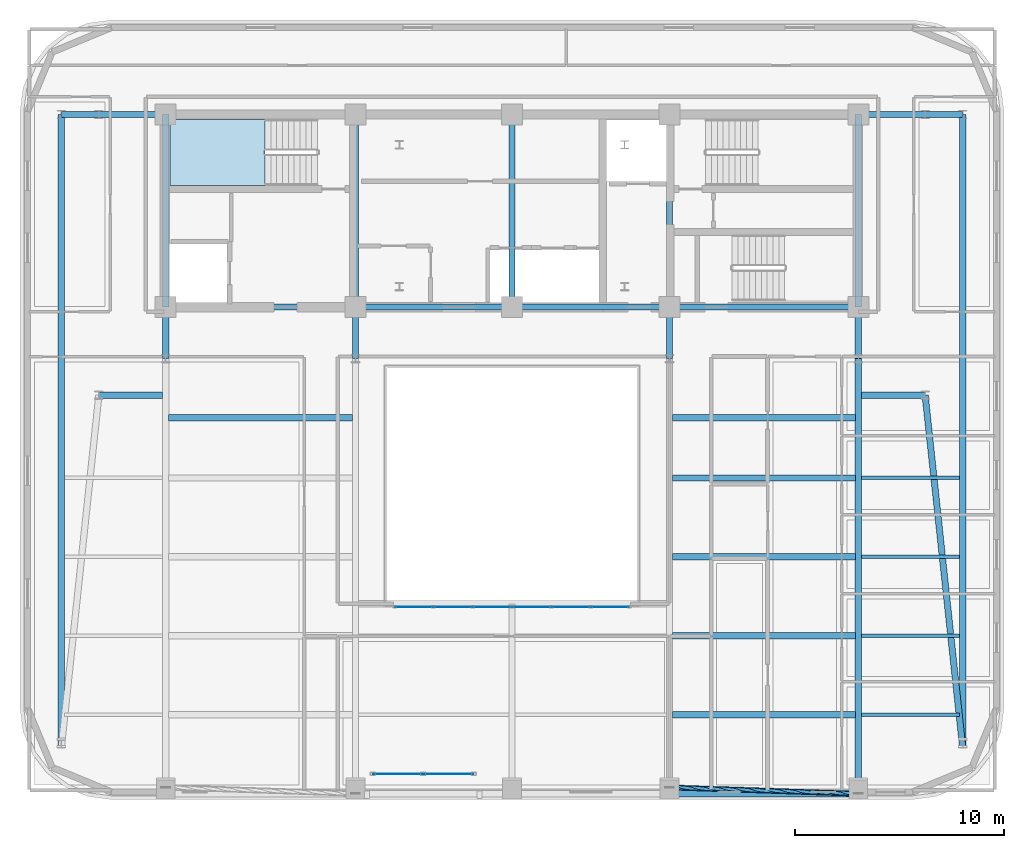
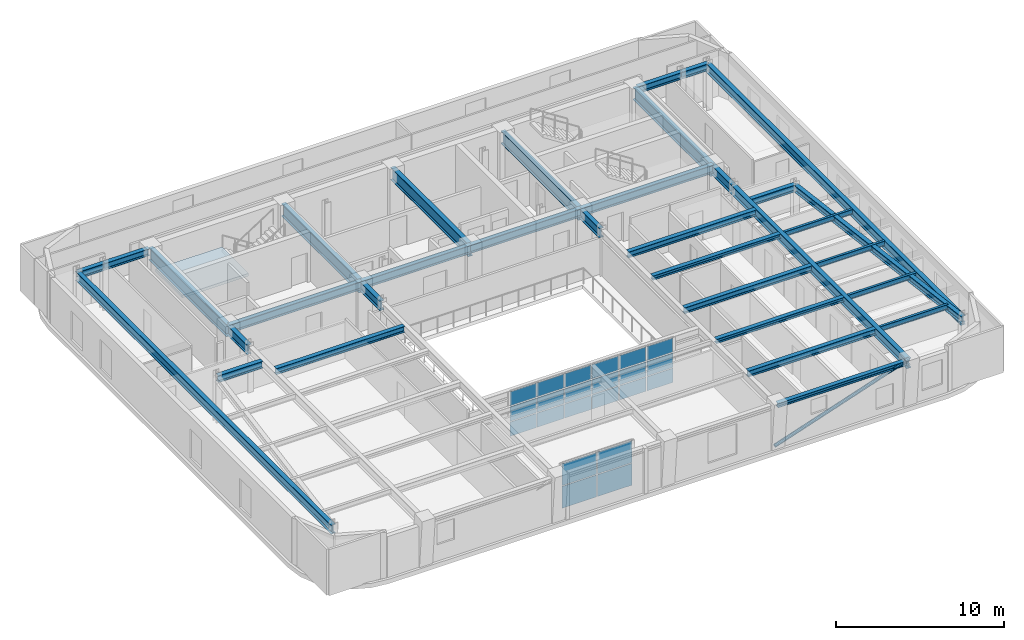
# One storey, part 3 of 13: 34 beams, 22 plates, 1 member, 1 slab, 3 elements without a shape of their own.
"""IFC4 building model written with IfcOpenShell, lengths in metres."""

from ifc_helpers import new_model, si_unit, direction, frame, origin, origin_2d, place, context, subcontext, project, spatial, polyline, rectangle, hollow_circle, i_section, outline, extrude, material, layer, layer_set, material_profile, profile_set, type_object, element, aggregate, save


model = new_model("IFC4")

# Units and contexts
model_context = context("Model", 3, precision=1e-05, world=origin(), true_north=direction((0.0, 1.0)))
body_context = subcontext(model_context, "Body", "Model", "MODEL_VIEW")
ifc_project = project(units=[si_unit("LENGTHUNIT", "METRE"), si_unit("AREAUNIT", "SQUARE_METRE"), si_unit("VOLUMEUNIT", "CUBIC_METRE"), si_unit("PLANEANGLEUNIT", "RADIAN"), si_unit("MASSUNIT", "GRAM", prefix="KILO")], contexts=[model_context])

# Site, building, storey
site_placement = place(None, origin())
site = spatial("IfcSite", under=ifc_project, at=site_placement, CompositionType="ELEMENT")
building_placement = place(site_placement, origin())
building = spatial("IfcBuilding", under=site, at=building_placement, Name="Zarnavel Station Tower", CompositionType="ELEMENT")
storey_placement = place(building_placement, frame((0.0, 0.0, 236.39990234375)))
storey = spatial("IfcBuildingStorey", under=building, at=storey_placement, Name="L64", CompositionType="ELEMENT", Elevation=236.39990234375)

# Member
ifc_material_1 = material(Name="Steel S355J2", Category="steel")
ifc_material_profile_1 = material_profile(ifc_material_1, hollow_circle(Radius=0.122314453125, WallThickness=0.010009765625, at=origin_2d()), Name="CHS244.5x10")
ifc_profile_set_1 = profile_set([ifc_material_profile_1], Name="Steel S355J2")
member_type = type_object("IfcMemberType", Name="DB_EXT_CHS245", PredefinedType="BRACE", material=ifc_profile_set_1)
member_placement = place(storey_placement, frame((36.35009765625, 4.805419921875, 0.0), z_axis=(0.937681259663, -0.031367345473, 0.3460779463), x_axis=(0.033433332735, 0.999440949863, 0.0)))
element("IfcMember", 1, at=member_placement, inside=storey, type_object=member_type, Name="L64 Persian Exterior Diagonal Frame Brace 2", PredefinedType="BRACE", context=body_context, shape_type="SweptSolid", body=[
    extrude(hollow_circle(Radius=0.122314453125, WallThickness=0.010009765625, at=origin_2d()), origin(), (0.0, 0.0, 1.0), 9.6513671875),
])

# Beams
ifc_material_2 = material(Name="Steel S355J2", Category="steel")
ifc_material_profile_2 = material_profile(ifc_material_2, i_section(OverallWidth=0.300048828125, OverallDepth=0.320068359375, WebThickness=0.011474609375, FlangeThickness=0.0205078125, FilletRadius=0.027099609375, at=origin_2d()), Name="HEB320")
ifc_profile_set_2 = profile_set([ifc_material_profile_2], Name="Steel S355J2")
beam_type_1 = type_object("IfcBeamType", Name="EB_HEB320", PredefinedType="SPANDREL", material=ifc_profile_set_2)
beam_1_placement = place(storey_placement, frame((36.35009765625, 4.502685546875, 3.18017578125), z_axis=(1.0, 0.0, 0.0), x_axis=(0.0, 1.0, 0.0)))
element("IfcBeam", 2, at=beam_1_placement, inside=storey, type_object=beam_type_1, Name="L64 South Raked Spandrel 4", PredefinedType="SPANDREL", context=body_context, shape_type="SweptSolid", body=[
    extrude(i_section(OverallWidth=0.300048828125, OverallDepth=0.320068359375, WebThickness=0.011474609375, FlangeThickness=0.0205078125, FilletRadius=0.027099609375, at=origin_2d()), origin(), (0.0, 0.0, 1.0), 9.0498046875),
])
ifc_material_3 = material(Name="Steel S355J2", Category="steel")
ifc_material_profile_3 = material_profile(ifc_material_3, i_section(OverallWidth=0.300048828125, OverallDepth=0.31005859375, WebThickness=0.009033203125, FlangeThickness=0.015380859375, FilletRadius=0.027099609375, at=origin_2d()), Name="HEA320")
ifc_profile_set_3 = profile_set([ifc_material_profile_3], Name="Steel S355J2")
beam_type_2 = type_object("IfcBeamType", Name="FB_HEA320", PredefinedType="BEAM", material=ifc_profile_set_3)
for number, where, z_axis, x_axis, name in (
    (3, (36.4951171875, 12.068603515625, 3.18505859375), (1.0, 0.0, 0.0), (0.0, 1.0, 0.0), "L64 East Bay Beam 2"),
    (4, (36.4951171875, 19.63427734375, 3.18505859375), (1.0, 0.0, 0.0), (0.0, 1.0, 0.0), "L64 East Bay Beam 4"),
):
    element("IfcBeam", number, at=place(storey_placement, frame(where, z_axis=z_axis, x_axis=x_axis)), inside=storey, type_object=beam_type_2, Name=name, PredefinedType="BEAM", context=body_context, shape_type="SweptSolid", body=[
        extrude(i_section(OverallWidth=0.300048828125, OverallDepth=0.31005859375, WebThickness=0.009033203125, FlangeThickness=0.015380859375, FilletRadius=0.027099609375, at=origin_2d()), origin(), (0.0, 0.0, 1.0), 8.759765625),
    ])
ifc_material_4 = material(Name="Steel S355J2", Category="steel")
ifc_material_profile_4 = material_profile(ifc_material_4, i_section(OverallWidth=0.300048828125, OverallDepth=0.43994140625, WebThickness=0.011474609375, FlangeThickness=0.02099609375, FilletRadius=0.027099609375, at=origin_2d()), Name="HEA450")
ifc_profile_set_4 = profile_set([ifc_material_profile_4], Name="Steel S355J2")
beam_type_3 = type_object("IfcBeamType", Name="FB_HEA450", PredefinedType="BEAM", material=ifc_profile_set_4)
for number, where, z_axis, x_axis, name in (
    (5, (36.4951171875, 8.28564453125, 3.1201171875), (1.0, 0.0, 0.0), (0.0, 1.0, 0.0), "L64 East Bay Beam 1"),
    (6, (36.4951171875, 15.851318359375, 3.1201171875), (1.0, 0.0, 0.0), (0.0, 1.0, 0.0), "L64 East Bay Beam 3"),
):
    element("IfcBeam", number, at=place(storey_placement, frame(where, z_axis=z_axis, x_axis=x_axis)), inside=storey, type_object=beam_type_3, Name=name, PredefinedType="BEAM", context=body_context, shape_type="SweptSolid", body=[
        extrude(i_section(OverallWidth=0.300048828125, OverallDepth=0.43994140625, WebThickness=0.011474609375, FlangeThickness=0.02099609375, FilletRadius=0.027099609375, at=origin_2d()), origin(), (0.0, 0.0, 1.0), 8.759765625),
    ])
beam_2_placement = place(storey_placement, frame((12.344970703125, 22.51708984375, 3.1201171875), z_axis=(1.0, 0.0, 0.0), x_axis=(0.0, 1.0, 0.0)))
element("IfcBeam", 7, at=beam_2_placement, inside=storey, type_object=beam_type_3, Name="L64 West Bay Beam 5", PredefinedType="BEAM", context=body_context, shape_type="SweptSolid", body=[
    extrude(i_section(OverallWidth=0.300048828125, OverallDepth=0.43994140625, WebThickness=0.011474609375, FlangeThickness=0.02099609375, FilletRadius=0.027099609375, at=origin_2d()), origin(), (0.0, 0.0, 1.0), 8.81005859375),
])
beam_3_placement = place(storey_placement, frame((36.4951171875, 22.51708984375, 3.1201171875), z_axis=(1.0, 0.0, 0.0), x_axis=(0.0, 1.0, 0.0)))
element("IfcBeam", 8, at=beam_3_placement, inside=storey, type_object=beam_type_3, Name="L64 East Bay Beam 5", PredefinedType="BEAM", context=body_context, shape_type="SweptSolid", body=[
    extrude(i_section(OverallWidth=0.300048828125, OverallDepth=0.43994140625, WebThickness=0.011474609375, FlangeThickness=0.02099609375, FilletRadius=0.027099609375, at=origin_2d()), origin(), (0.0, 0.0, 1.0), 8.759765625),
])
ifc_material_5 = material(Name="Steel S355J2", Category="steel")
ifc_material_profile_5 = material_profile(ifc_material_5, i_section(OverallWidth=0.300048828125, OverallDepth=0.5, WebThickness=0.014404296875, FlangeThickness=0.028076171875, FilletRadius=0.027099609375, at=origin_2d()), Name="HEB500")
ifc_profile_set_5 = profile_set([ifc_material_profile_5], Name="Steel S355J2")
beam_type_4 = type_object("IfcBeamType", Name="FG_HEB500", PredefinedType="USERDEFINED", material=ifc_profile_set_5)
beam_4_placement = place(storey_placement, frame((7.199951171875, 37.050048828125, 3.090087890625), z_axis=(1.0, 0.0, 0.0), x_axis=(0.0, 1.0, 0.0)))
element("IfcBeam", 9, at=beam_4_placement, inside=storey, type_object=beam_type_4, Name="L64 West Wing North Tie 1", ObjectType="GIRDER", PredefinedType="USERDEFINED", context=body_context, shape_type="SweptSolid", body=[
    extrude(i_section(OverallWidth=0.300048828125, OverallDepth=0.5, WebThickness=0.014404296875, FlangeThickness=0.028076171875, FilletRadius=0.027099609375, at=origin_2d()), origin(), (0.0, 0.0, 1.0), 1.800048828125),
])
for number, where, z_axis, x_axis, name in (
    (10, (9.0, 23.60009765625, 3.090087890625), (1.0, 0.0, 0.0), (0.0, 1.0, 0.0), "L64 West Wing South Tie 2"),
    (11, (9.0, 37.050048828125, 3.090087890625), (1.0, 0.0, 0.0), (0.0, 1.0, 0.0), "L64 West Wing North Tie 2"),
):
    element("IfcBeam", number, at=place(storey_placement, frame(where, z_axis=z_axis, x_axis=x_axis)), inside=storey, type_object=beam_type_4, Name=name, ObjectType="GIRDER", PredefinedType="USERDEFINED", context=body_context, shape_type="SweptSolid", body=[
        extrude(i_section(OverallWidth=0.300048828125, OverallDepth=0.5, WebThickness=0.014404296875, FlangeThickness=0.028076171875, FilletRadius=0.027099609375, at=origin_2d()), origin(), (0.0, 0.0, 1.0), 3.054931640625),
    ])
for number, where, z_axis, x_axis, name in (
    (12, (45.544921875, 23.60009765625, 3.090087890625), (1.0, 0.0, 0.0), (0.0, 1.0, 0.0), "L64 East Wing South Tie 1"),
    (13, (45.544921875, 37.050048828125, 3.090087890625), (1.0, 0.0, 0.0), (0.0, 1.0, 0.0), "L64 East Wing North Tie 1"),
):
    element("IfcBeam", number, at=place(storey_placement, frame(where, z_axis=z_axis, x_axis=x_axis)), inside=storey, type_object=beam_type_4, Name=name, ObjectType="GIRDER", PredefinedType="USERDEFINED", context=body_context, shape_type="SweptSolid", body=[
        extrude(i_section(OverallWidth=0.300048828125, OverallDepth=0.5, WebThickness=0.014404296875, FlangeThickness=0.028076171875, FilletRadius=0.027099609375, at=origin_2d()), origin(), (0.0, 0.0, 1.0), 3.05517578125),
    ])
beam_5_placement = place(storey_placement, frame((48.60009765625, 23.60009765625, 3.090087890625), z_axis=(0.105956597047, -0.994370755575, 0.0), x_axis=(0.994370755575, 0.105956597047, 0.0)))
element("IfcBeam", 14, at=beam_5_placement, inside=storey, type_object=beam_type_4, Name="L64 East Wing South Tie 2", ObjectType="GIRDER", PredefinedType="USERDEFINED", context=body_context, shape_type="SweptSolid", body=[
    extrude(i_section(OverallWidth=0.300048828125, OverallDepth=0.5, WebThickness=0.014404296875, FlangeThickness=0.028076171875, FilletRadius=0.027099609375, at=origin_2d()), origin(), (0.0, 0.0, 1.0), 16.986328125),
])
beam_6_placement = place(storey_placement, frame((48.60009765625, 37.050048828125, 3.090087890625), z_axis=(1.0, 0.0, 0.0), x_axis=(0.0, 1.0, 0.0)))
element("IfcBeam", 15, at=beam_6_placement, inside=storey, type_object=beam_type_4, Name="L64 East Wing North Tie 2", ObjectType="GIRDER", PredefinedType="USERDEFINED", context=body_context, shape_type="SweptSolid", body=[
    extrude(i_section(OverallWidth=0.300048828125, OverallDepth=0.5, WebThickness=0.014404296875, FlangeThickness=0.028076171875, FilletRadius=0.027099609375, at=origin_2d()), origin(), (0.0, 0.0, 1.0), 1.7998046875),
])
ifc_material_6 = material(Name="Steel S355J2", Category="steel")
ifc_material_profile_6 = material_profile(ifc_material_6, i_section(OverallWidth=0.300048828125, OverallDepth=0.60009765625, WebThickness=0.015380859375, FlangeThickness=0.030029296875, FilletRadius=0.027099609375, at=origin_2d()), Name="HEB600")
ifc_profile_set_6 = profile_set([ifc_material_profile_6], Name="Steel S355J2")
beam_type_5 = type_object("IfcBeamType", Name="FG_HEB600", PredefinedType="USERDEFINED", material=ifc_profile_set_6)
beam_7_placement = place(storey_placement, frame((12.199951171875, 27.820068359375, 3.0400390625), z_axis=(1.0, 0.0, 0.0), x_axis=(0.0, 1.0, 0.0)))
element("IfcBeam", 16, at=beam_7_placement, inside=storey, type_object=beam_type_5, Name="L64 Core Front Coupling Beam 1", ObjectType="GIRDER", PredefinedType="USERDEFINED", context=body_context, shape_type="SweptSolid", body=[
    extrude(i_section(OverallWidth=0.300048828125, OverallDepth=0.60009765625, WebThickness=0.015380859375, FlangeThickness=0.030029296875, FilletRadius=0.027099609375, at=origin_2d()), origin(), (0.0, 0.0, 1.0), 9.10009765625),
])
beam_8_placement = place(storey_placement, frame((21.300048828125, 27.820068359375, 3.0400390625), z_axis=(1.0, 0.0, 0.0), x_axis=(0.0, 1.0, 0.0)))
element("IfcBeam", 17, at=beam_8_placement, inside=storey, type_object=beam_type_5, Name="L64 Core Front Coupling Beam 2", ObjectType="GIRDER", PredefinedType="USERDEFINED", context=body_context, shape_type="SweptSolid", body=[
    extrude(i_section(OverallWidth=0.300048828125, OverallDepth=0.60009765625, WebThickness=0.015380859375, FlangeThickness=0.030029296875, FilletRadius=0.027099609375, at=origin_2d()), origin(), (0.0, 0.0, 1.0), 7.5),
])
beam_9_placement = place(storey_placement, frame((28.800048828125, 27.820068359375, 3.0400390625), z_axis=(1.0, 0.0, 0.0), x_axis=(0.0, 1.0, 0.0)))
element("IfcBeam", 18, at=beam_9_placement, inside=storey, type_object=beam_type_5, Name="L64 Core Front Coupling Beam 3", ObjectType="GIRDER", PredefinedType="USERDEFINED", context=body_context, shape_type="SweptSolid", body=[
    extrude(i_section(OverallWidth=0.300048828125, OverallDepth=0.60009765625, WebThickness=0.015380859375, FlangeThickness=0.030029296875, FilletRadius=0.027099609375, at=origin_2d()), origin(), (0.0, 0.0, 1.0), 7.550048828125),
])
beam_10_placement = place(storey_placement, frame((36.35009765625, 27.820068359375, 3.0400390625), z_axis=(1.0, 0.0, 0.0), x_axis=(0.0, 1.0, 0.0)))
element("IfcBeam", 19, at=beam_10_placement, inside=storey, type_object=beam_type_5, Name="L64 Core Front Coupling Beam 4", ObjectType="GIRDER", PredefinedType="USERDEFINED", context=body_context, shape_type="SweptSolid", body=[
    extrude(i_section(OverallWidth=0.300048828125, OverallDepth=0.60009765625, WebThickness=0.015380859375, FlangeThickness=0.030029296875, FilletRadius=0.027099609375, at=origin_2d()), origin(), (0.0, 0.0, 1.0), 9.0498046875),
])
ifc_material_7 = material(Name="Steel S355J2", Category="steel")
ifc_material_profile_7 = material_profile(ifc_material_7, i_section(OverallWidth=0.300048828125, OverallDepth=0.64990234375, WebThickness=0.01611328125, FlangeThickness=0.031005859375, FilletRadius=0.027099609375, at=origin_2d()), Name="HEB650")
ifc_profile_set_7 = profile_set([ifc_material_profile_7], Name="Steel S355J2")
beam_type_6 = type_object("IfcBeamType", Name="FG_HEB650", PredefinedType="USERDEFINED", material=ifc_profile_set_7)
for number, where, z_axis, x_axis, name in (
    (20, (7.199951171875, 6.70947265625, 3.01513671875), (0.0, 1.0, 0.0), (-1.0, 0.0, 0.0), "L64 Wing NS Girder 1"),
    (21, (50.39990234375, 6.70947265625, 3.01513671875), (0.0, 1.0, 0.0), (-1.0, 0.0, 0.0), "L64 Wing NS Girder 2"),
):
    element("IfcBeam", number, at=place(storey_placement, frame(where, z_axis=z_axis, x_axis=x_axis)), inside=storey, type_object=beam_type_6, Name=name, ObjectType="GIRDER", PredefinedType="USERDEFINED", context=body_context, shape_type="SweptSolid", body=[
        extrude(i_section(OverallWidth=0.300048828125, OverallDepth=0.64990234375, WebThickness=0.01611328125, FlangeThickness=0.031005859375, FilletRadius=0.027099609375, at=origin_2d()), origin(), (0.0, 0.0, 1.0), 30.340576171875),
    ])
ifc_material_8 = material(Name="Steel S355J2", Category="steel")
ifc_material_profile_8 = material_profile(ifc_material_8, i_section(OverallWidth=0.300048828125, OverallDepth=0.699951171875, WebThickness=0.01708984375, FlangeThickness=0.031982421875, FilletRadius=0.027099609375, at=origin_2d()), Name="HEB700")
ifc_profile_set_8 = profile_set([ifc_material_profile_8], Name="Steel S355J2")
beam_type_7 = type_object("IfcBeamType", Name="FG_HEB700", PredefinedType="USERDEFINED", material=ifc_profile_set_8)
for number, where, z_axis, x_axis, name in (
    (22, (12.199951171875, 25.35009765625, 2.989990234375), (0.0, 1.0, 0.0), (-1.0, 0.0, 0.0), "L64 Inner-Zone NS Girder 1"),
    (23, (21.300048828125, 25.35009765625, 2.989990234375), (0.0, 1.0, 0.0), (-1.0, 0.0, 0.0), "L64 Inner-Zone NS Girder 2"),
    (24, (36.35009765625, 25.35009765625, 2.989990234375), (0.0, 1.0, 0.0), (-1.0, 0.0, 0.0), "L64 Inner-Zone NS Girder 4"),
):
    element("IfcBeam", number, at=place(storey_placement, frame(where, z_axis=z_axis, x_axis=x_axis)), inside=storey, type_object=beam_type_7, Name=name, ObjectType="GIRDER", PredefinedType="USERDEFINED", context=body_context, shape_type="SweptSolid", body=[
        extrude(i_section(OverallWidth=0.300048828125, OverallDepth=0.699951171875, WebThickness=0.01708984375, FlangeThickness=0.031982421875, FilletRadius=0.027099609375, at=origin_2d()), origin(), (0.0, 0.0, 1.0), 2.469970703125),
    ])
beam_11_placement = place(storey_placement, frame((45.39990234375, 4.502685546875, 2.989990234375), z_axis=(0.0, 1.0, 0.0), x_axis=(-1.0, 0.0, 0.0)))
element("IfcBeam", 25, at=beam_11_placement, inside=storey, type_object=beam_type_7, Name="L64 South-Zone NS Girder 5", ObjectType="GIRDER", PredefinedType="USERDEFINED", context=body_context, shape_type="SweptSolid", body=[
    extrude(i_section(OverallWidth=0.300048828125, OverallDepth=0.699951171875, WebThickness=0.01708984375, FlangeThickness=0.031982421875, FilletRadius=0.027099609375, at=origin_2d()), origin(), (0.0, 0.0, 1.0), 20.847412109375),
])
beam_12_placement = place(storey_placement, frame((45.39990234375, 25.35009765625, 2.989990234375), z_axis=(0.0, 1.0, 0.0), x_axis=(-1.0, 0.0, 0.0)))
element("IfcBeam", 26, at=beam_12_placement, inside=storey, type_object=beam_type_7, Name="L64 Inner-Zone NS Girder 5", ObjectType="GIRDER", PredefinedType="USERDEFINED", context=body_context, shape_type="SweptSolid", body=[
    extrude(i_section(OverallWidth=0.300048828125, OverallDepth=0.699951171875, WebThickness=0.01708984375, FlangeThickness=0.031982421875, FilletRadius=0.027099609375, at=origin_2d()), origin(), (0.0, 0.0, 1.0), 2.469970703125),
])
ifc_material_9 = material(Name="Steel S355J2", Category="steel")
ifc_material_profile_9 = material_profile(ifc_material_9, i_section(OverallWidth=0.169921875, OverallDepth=0.360107421875, WebThickness=0.008056640625, FlangeThickness=0.0126953125, FilletRadius=0.01806640625, at=origin_2d()), Name="IPE360")
ifc_profile_set_9 = profile_set([ifc_material_profile_9], Name="Steel S355J2")
beam_type_8 = type_object("IfcBeamType", Name="FJ_IPE360", PredefinedType="JOIST", material=ifc_profile_set_9)
for number, where, z_axis, x_axis, name in (
    (27, (45.544921875, 8.28564453125, 3.16015625), (1.0, 0.0, 0.0), (0.0, 1.0, 0.0), "L64 East Wing Joist 1"),
    (28, (45.544921875, 12.068603515625, 3.16015625), (1.0, 0.0, 0.0), (0.0, 1.0, 0.0), "L64 East Wing Joist 2"),
    (29, (45.544921875, 15.851318359375, 3.16015625), (1.0, 0.0, 0.0), (0.0, 1.0, 0.0), "L64 East Wing Joist 3"),
    (30, (45.544921875, 19.63427734375, 3.16015625), (1.0, 0.0, 0.0), (0.0, 1.0, 0.0), "L64 East Wing Joist 4"),
):
    element("IfcBeam", number, at=place(storey_placement, frame(where, z_axis=z_axis, x_axis=x_axis)), inside=storey, type_object=beam_type_8, Name=name, PredefinedType="JOIST", context=body_context, shape_type="SweptSolid", body=[
        extrude(i_section(OverallWidth=0.169921875, OverallDepth=0.360107421875, WebThickness=0.008056640625, FlangeThickness=0.0126953125, FilletRadius=0.01806640625, at=origin_2d()), origin(), (0.0, 0.0, 1.0), 4.7099609375),
    ])
ifc_material_10 = material(Name="Steel S460M", Category="steel")
ifc_material_profile_10 = material_profile(ifc_material_10, i_section(OverallWidth=0.302001953125, OverallDepth=0.909912109375, WebThickness=0.02099609375, FlangeThickness=0.0400390625, FilletRadius=0.030029296875, at=origin_2d()), Name="HEM900")
ifc_profile_set_10 = profile_set([ifc_material_profile_10], Name="Steel S460M")
beam_type_9 = type_object("IfcBeamType", Name="TG_HEM900", PredefinedType="USERDEFINED", material=ifc_profile_set_10)
for number, where, z_axis, x_axis, name in (
    (31, (12.199951171875, 27.820068359375, 2.885009765625), (0.0, 1.0, 0.0), (-1.0, 0.0, 0.0), "L64 Core Spine Coupling Girder 1"),
    (32, (21.300048828125, 27.820068359375, 2.885009765625), (0.0, 1.0, 0.0), (-1.0, 0.0, 0.0), "L64 Core Spine Coupling Girder 2"),
    (33, (28.800048828125, 27.820068359375, 2.885009765625), (0.0, 1.0, 0.0), (-1.0, 0.0, 0.0), "L64 Core Spine Coupling Girder 3"),
    (34, (36.35009765625, 27.820068359375, 2.885009765625), (0.0, 1.0, 0.0), (-1.0, 0.0, 0.0), "L64 Core Spine Coupling Girder 4"),
    (35, (45.39990234375, 27.820068359375, 2.885009765625), (0.0, 1.0, 0.0), (-1.0, 0.0, 0.0), "L64 Core Spine Coupling Girder 5"),
):
    element("IfcBeam", number, at=place(storey_placement, frame(where, z_axis=z_axis, x_axis=x_axis)), inside=storey, type_object=beam_type_9, Name=name, ObjectType="GIRDER", PredefinedType="USERDEFINED", context=body_context, shape_type="SweptSolid", body=[
        extrude(i_section(OverallWidth=0.302001953125, OverallDepth=0.909912109375, WebThickness=0.02099609375, FlangeThickness=0.0400390625, FilletRadius=0.030029296875, at=origin_2d()), origin(), (0.0, 0.0, 1.0), 9.22998046875),
    ])

# Curtain wall, plates
ifc_material_11 = material(Name="Aluminium Dark Anodised and Solar-Control Glass", Category="aluminium")
ifc_layer_1 = layer(ifc_material_11, 0.179931640625)
ifc_layer_set_1 = layer_set([ifc_layer_1], Name="CWS5")
curtain_wall_type_1 = type_object("IfcCurtainWallType", Name="CWS5", PredefinedType="NOTDEFINED", material=ifc_layer_set_1)
curtain_wall_1_placement = place(storey_placement, origin())
curtain_wall_1 = element("IfcCurtainWall", 36, at=curtain_wall_1_placement, inside=storey, type_object=curtain_wall_type_1, Name="L64 Curtain Wall CWS5-L64-AS", PredefinedType="NOTDEFINED")
ifc_material_12 = material(Name="Double Low-E Dark Solar-Control Glass", Category="glass")
ifc_layer_2 = layer(ifc_material_12, 0.033935546875)
ifc_layer_set_2 = layer_set([ifc_layer_2], Name="CWS5_PNL")
plate_type_1 = type_object("IfcPlateType", Name="CWS5_PNL", PredefinedType="CURTAIN_PANEL", material=ifc_layer_set_2)
plate_1_placement = place(storey_placement, frame((24.106689453125, 13.449951171875, 0.06005859375), z_axis=(0.0, 0.0, 1.0), x_axis=(1.0, 0.0, 0.0)))
plate_1 = element("IfcPlate", 37, at=plate_1_placement, type_object=plate_type_1, Name="CW5 panel 1.1", PredefinedType="CURTAIN_PANEL", context=body_context, shape_type="SweptSolid", body=[
    extrude(rectangle(XDim=1.793212890625, YDim=0.028076171875, at=origin_2d()), origin(), (0.0, 0.0, 1.0), 1.023193359375),
])
plate_2_placement = place(storey_placement, frame((24.106689453125, 13.449951171875, 1.1435546875), z_axis=(0.0, 0.0, 1.0), x_axis=(1.0, 0.0, 0.0)))
plate_2 = element("IfcPlate", 38, at=plate_2_placement, type_object=plate_type_1, Name="CW5 panel 1.2", PredefinedType="CURTAIN_PANEL", context=body_context, shape_type="SweptSolid", body=[
    extrude(rectangle(XDim=1.793212890625, YDim=0.028076171875, at=origin_2d()), origin(), (0.0, 0.0, 1.0), 1.053466796875),
])
plate_3_placement = place(storey_placement, frame((24.106689453125, 13.449951171875, 2.2568359375), z_axis=(0.0, 0.0, 1.0), x_axis=(1.0, 0.0, 0.0)))
plate_3 = element("IfcPlate", 39, at=plate_3_placement, type_object=plate_type_1, Name="CW5 panel 1.3", PredefinedType="CURTAIN_PANEL", context=body_context, shape_type="SweptSolid", body=[
    extrude(rectangle(XDim=1.793212890625, YDim=0.028076171875, at=origin_2d()), origin(), (0.0, 0.0, 1.0), 1.023193359375),
])
plate_4_placement = place(storey_placement, frame((25.97509765625, 13.449951171875, 0.06005859375), z_axis=(0.0, 0.0, 1.0), x_axis=(1.0, 0.0, 0.0)))
plate_4 = element("IfcPlate", 40, at=plate_4_placement, type_object=plate_type_1, Name="CW5 panel 2.1", PredefinedType="CURTAIN_PANEL", context=body_context, shape_type="SweptSolid", body=[
    extrude(rectangle(XDim=1.8232421875, YDim=0.028076171875, at=origin_2d()), origin(), (0.0, 0.0, 1.0), 1.023193359375),
])
plate_5_placement = place(storey_placement, frame((25.97509765625, 13.449951171875, 1.1435546875), z_axis=(0.0, 0.0, 1.0), x_axis=(1.0, 0.0, 0.0)))
plate_5 = element("IfcPlate", 41, at=plate_5_placement, type_object=plate_type_1, Name="CW5 panel 2.2", PredefinedType="CURTAIN_PANEL", context=body_context, shape_type="SweptSolid", body=[
    extrude(rectangle(XDim=1.8232421875, YDim=0.028076171875, at=origin_2d()), origin(), (0.0, 0.0, 1.0), 1.053466796875),
])
plate_6_placement = place(storey_placement, frame((25.97509765625, 13.449951171875, 2.2568359375), z_axis=(0.0, 0.0, 1.0), x_axis=(1.0, 0.0, 0.0)))
plate_6 = element("IfcPlate", 42, at=plate_6_placement, type_object=plate_type_1, Name="CW5 panel 2.3", PredefinedType="CURTAIN_PANEL", context=body_context, shape_type="SweptSolid", body=[
    extrude(rectangle(XDim=1.8232421875, YDim=0.028076171875, at=origin_2d()), origin(), (0.0, 0.0, 1.0), 1.023193359375),
])
plate_7_placement = place(storey_placement, frame((27.8583984375, 13.449951171875, 0.06005859375), z_axis=(0.0, 0.0, 1.0), x_axis=(1.0, 0.0, 0.0)))
plate_7 = element("IfcPlate", 43, at=plate_7_placement, type_object=plate_type_1, Name="CW5 panel 3.1", PredefinedType="CURTAIN_PANEL", context=body_context, shape_type="SweptSolid", body=[
    extrude(rectangle(XDim=1.8232421875, YDim=0.028076171875, at=origin_2d()), origin(), (0.0, 0.0, 1.0), 1.023193359375),
])
plate_8_placement = place(storey_placement, frame((27.8583984375, 13.449951171875, 1.1435546875), z_axis=(0.0, 0.0, 1.0), x_axis=(1.0, 0.0, 0.0)))
plate_8 = element("IfcPlate", 44, at=plate_8_placement, type_object=plate_type_1, Name="CW5 panel 3.2", PredefinedType="CURTAIN_PANEL", context=body_context, shape_type="SweptSolid", body=[
    extrude(rectangle(XDim=1.8232421875, YDim=0.028076171875, at=origin_2d()), origin(), (0.0, 0.0, 1.0), 1.053466796875),
])
plate_9_placement = place(storey_placement, frame((27.8583984375, 13.449951171875, 2.2568359375), z_axis=(0.0, 0.0, 1.0), x_axis=(1.0, 0.0, 0.0)))
plate_9 = element("IfcPlate", 45, at=plate_9_placement, type_object=plate_type_1, Name="CW5 panel 3.3", PredefinedType="CURTAIN_PANEL", context=body_context, shape_type="SweptSolid", body=[
    extrude(rectangle(XDim=1.8232421875, YDim=0.028076171875, at=origin_2d()), origin(), (0.0, 0.0, 1.0), 1.023193359375),
])
plate_10_placement = place(storey_placement, frame((29.74169921875, 13.449951171875, 0.06005859375), z_axis=(0.0, 0.0, 1.0), x_axis=(1.0, 0.0, 0.0)))
plate_10 = element("IfcPlate", 46, at=plate_10_placement, type_object=plate_type_1, Name="CW5 panel 4.1", PredefinedType="CURTAIN_PANEL", context=body_context, shape_type="SweptSolid", body=[
    extrude(rectangle(XDim=1.8232421875, YDim=0.028076171875, at=origin_2d()), origin(), (0.0, 0.0, 1.0), 1.023193359375),
])
plate_11_placement = place(storey_placement, frame((29.74169921875, 13.449951171875, 1.1435546875), z_axis=(0.0, 0.0, 1.0), x_axis=(1.0, 0.0, 0.0)))
plate_11 = element("IfcPlate", 47, at=plate_11_placement, type_object=plate_type_1, Name="CW5 panel 4.2", PredefinedType="CURTAIN_PANEL", context=body_context, shape_type="SweptSolid", body=[
    extrude(rectangle(XDim=1.8232421875, YDim=0.028076171875, at=origin_2d()), origin(), (0.0, 0.0, 1.0), 1.053466796875),
])
plate_12_placement = place(storey_placement, frame((29.74169921875, 13.449951171875, 2.2568359375), z_axis=(0.0, 0.0, 1.0), x_axis=(1.0, 0.0, 0.0)))
plate_12 = element("IfcPlate", 48, at=plate_12_placement, type_object=plate_type_1, Name="CW5 panel 4.3", PredefinedType="CURTAIN_PANEL", context=body_context, shape_type="SweptSolid", body=[
    extrude(rectangle(XDim=1.8232421875, YDim=0.028076171875, at=origin_2d()), origin(), (0.0, 0.0, 1.0), 1.023193359375),
])
plate_13_placement = place(storey_placement, frame((31.625, 13.449951171875, 0.06005859375), z_axis=(0.0, 0.0, 1.0), x_axis=(1.0, 0.0, 0.0)))
plate_13 = element("IfcPlate", 49, at=plate_13_placement, type_object=plate_type_1, Name="CW5 panel 5.1", PredefinedType="CURTAIN_PANEL", context=body_context, shape_type="SweptSolid", body=[
    extrude(rectangle(XDim=1.8232421875, YDim=0.028076171875, at=origin_2d()), origin(), (0.0, 0.0, 1.0), 1.023193359375),
])
plate_14_placement = place(storey_placement, frame((31.625, 13.449951171875, 1.1435546875), z_axis=(0.0, 0.0, 1.0), x_axis=(1.0, 0.0, 0.0)))
plate_14 = element("IfcPlate", 50, at=plate_14_placement, type_object=plate_type_1, Name="CW5 panel 5.2", PredefinedType="CURTAIN_PANEL", context=body_context, shape_type="SweptSolid", body=[
    extrude(rectangle(XDim=1.8232421875, YDim=0.028076171875, at=origin_2d()), origin(), (0.0, 0.0, 1.0), 1.053466796875),
])
plate_15_placement = place(storey_placement, frame((31.625, 13.449951171875, 2.2568359375), z_axis=(0.0, 0.0, 1.0), x_axis=(1.0, 0.0, 0.0)))
plate_15 = element("IfcPlate", 51, at=plate_15_placement, type_object=plate_type_1, Name="CW5 panel 5.3", PredefinedType="CURTAIN_PANEL", context=body_context, shape_type="SweptSolid", body=[
    extrude(rectangle(XDim=1.8232421875, YDim=0.028076171875, at=origin_2d()), origin(), (0.0, 0.0, 1.0), 1.023193359375),
])
plate_16_placement = place(storey_placement, frame((33.493408203125, 13.449951171875, 0.06005859375), z_axis=(0.0, 0.0, 1.0), x_axis=(1.0, 0.0, 0.0)))
plate_16 = element("IfcPlate", 52, at=plate_16_placement, type_object=plate_type_1, Name="CW5 panel 6.1", PredefinedType="CURTAIN_PANEL", context=body_context, shape_type="SweptSolid", body=[
    extrude(rectangle(XDim=1.793212890625, YDim=0.028076171875, at=origin_2d()), origin(), (0.0, 0.0, 1.0), 1.023193359375),
])
plate_17_placement = place(storey_placement, frame((33.493408203125, 13.449951171875, 1.1435546875), z_axis=(0.0, 0.0, 1.0), x_axis=(1.0, 0.0, 0.0)))
plate_17 = element("IfcPlate", 53, at=plate_17_placement, type_object=plate_type_1, Name="CW5 panel 6.2", PredefinedType="CURTAIN_PANEL", context=body_context, shape_type="SweptSolid", body=[
    extrude(rectangle(XDim=1.793212890625, YDim=0.028076171875, at=origin_2d()), origin(), (0.0, 0.0, 1.0), 1.053466796875),
])
plate_18_placement = place(storey_placement, frame((33.493408203125, 13.449951171875, 2.2568359375), z_axis=(0.0, 0.0, 1.0), x_axis=(1.0, 0.0, 0.0)))
plate_18 = element("IfcPlate", 54, at=plate_18_placement, type_object=plate_type_1, Name="CW5 panel 6.3", PredefinedType="CURTAIN_PANEL", context=body_context, shape_type="SweptSolid", body=[
    extrude(rectangle(XDim=1.793212890625, YDim=0.028076171875, at=origin_2d()), origin(), (0.0, 0.0, 1.0), 1.023193359375),
])
aggregate(curtain_wall_1, [plate_1, plate_2, plate_3, plate_4, plate_5, plate_6, plate_7, plate_8, plate_9, plate_10, plate_11, plate_12, plate_13, plate_14, plate_15, plate_16, plate_17, plate_18])

ifc_material_13 = material(Name="Aluminium Dark Anodised and Solar-Control Glass", Category="aluminium")
ifc_layer_3 = layer(ifc_material_13, 0.179931640625)
ifc_layer_set_3 = layer_set([ifc_layer_3], Name="CWS6")
curtain_wall_type_2 = type_object("IfcCurtainWallType", Name="CWS6", PredefinedType="NOTDEFINED", material=ifc_layer_set_3)
curtain_wall_2_placement = place(storey_placement, origin())
curtain_wall_2 = element("IfcCurtainWall", 55, at=curtain_wall_2_placement, inside=storey, type_object=curtain_wall_type_2, Name="L64 Curtain Wall CWS6-LOG-L64", PredefinedType="NOTDEFINED")
ifc_material_14 = material(Name="Double Low-E Dark Solar-Control Glass", Category="glass")
ifc_layer_4 = layer(ifc_material_14, 0.0380859375)
ifc_layer_set_4 = layer_set([ifc_layer_4], Name="CWS6_PNL")
plate_type_2 = type_object("IfcPlateType", Name="CWS6_PNL", PredefinedType="CURTAIN_PANEL", material=ifc_layer_set_4)
plate_19_placement = place(storey_placement, frame((23.340087890625, 5.449951171875, 0.06005859375), z_axis=(0.0, 0.0, 1.0), x_axis=(1.0, 0.0, 0.0)))
plate_19 = element("IfcPlate", 56, at=plate_19_placement, type_object=plate_type_2, Name="CW6 panel 1.1", PredefinedType="CURTAIN_PANEL", context=body_context, shape_type="SweptSolid", body=[
    extrude(rectangle(XDim=2.360107421875, YDim=0.028076171875, at=origin_2d()), origin(), (0.0, 0.0, 1.0), 1.580078125),
])
plate_20_placement = place(storey_placement, frame((23.340087890625, 5.449951171875, 1.699951171875), z_axis=(0.0, 0.0, 1.0), x_axis=(1.0, 0.0, 0.0)))
plate_20 = element("IfcPlate", 57, at=plate_20_placement, type_object=plate_type_2, Name="CW6 panel 1.2", PredefinedType="CURTAIN_PANEL", context=body_context, shape_type="SweptSolid", body=[
    extrude(rectangle(XDim=2.360107421875, YDim=0.028076171875, at=origin_2d()), origin(), (0.0, 0.0, 1.0), 1.580078125),
])
plate_21_placement = place(storey_placement, frame((25.760009765625, 5.449951171875, 0.06005859375), z_axis=(0.0, 0.0, 1.0), x_axis=(1.0, 0.0, 0.0)))
plate_21 = element("IfcPlate", 58, at=plate_21_placement, type_object=plate_type_2, Name="CW6 panel 2.1", PredefinedType="CURTAIN_PANEL", context=body_context, shape_type="SweptSolid", body=[
    extrude(rectangle(XDim=2.360107421875, YDim=0.028076171875, at=origin_2d()), origin(), (0.0, 0.0, 1.0), 1.580078125),
])
plate_22_placement = place(storey_placement, frame((25.760009765625, 5.449951171875, 1.699951171875), z_axis=(0.0, 0.0, 1.0), x_axis=(1.0, 0.0, 0.0)))
plate_22 = element("IfcPlate", 59, at=plate_22_placement, type_object=plate_type_2, Name="CW6 panel 2.2", PredefinedType="CURTAIN_PANEL", context=body_context, shape_type="SweptSolid", body=[
    extrude(rectangle(XDim=2.360107421875, YDim=0.028076171875, at=origin_2d()), origin(), (0.0, 0.0, 1.0), 1.580078125),
])
aggregate(curtain_wall_2, [plate_19, plate_20, plate_21, plate_22])

# Stair, slab
ifc_material_15 = material(Name="Concrete C45/55", Category="concrete")
stair_type = type_object("IfcStairType", Name="ST_CORE_150", PredefinedType="HALF_TURN_STAIR", material=ifc_material_15)
stair_placement = place(storey_placement, origin())
stair = element("IfcStair", 60, at=stair_placement, inside=storey, type_object=stair_type, Name="L64 Core Exit Stair ST1", PredefinedType="HALF_TURN_STAIR")
ifc_material_16 = material(Name="Concrete C45/55", Category="concrete")
ifc_layer_5 = layer(ifc_material_16, 0.199951171875)
ifc_layer_set_5 = layer_set([ifc_layer_5], Name="SL_STAIR_LAND_200")
slab_type = type_object("IfcSlabType", Name="SL_STAIR_LAND_200", PredefinedType="LANDING", material=ifc_layer_set_5)
slab_placement = place(storey_placement, frame((0.0, 0.0, 1.60009765625)))
slab = element("IfcSlab", 61, at=slab_placement, type_object=slab_type, Name="ST1 landing 1", PredefinedType="LANDING", context=body_context, shape_type="SweptSolid", body=[
    extrude(outline(polyline([(16.9599609375, 36.820068359375), (12.39990234375, 36.820068359375), (12.39990234375, 33.659912109375), (16.9599609375, 33.659912109375), (16.9599609375, 36.820068359375)])), origin(), (0.0, 0.0, 1.0), 0.199951171875),
])
aggregate(stair, [slab])

save(model, "model.ifc")
